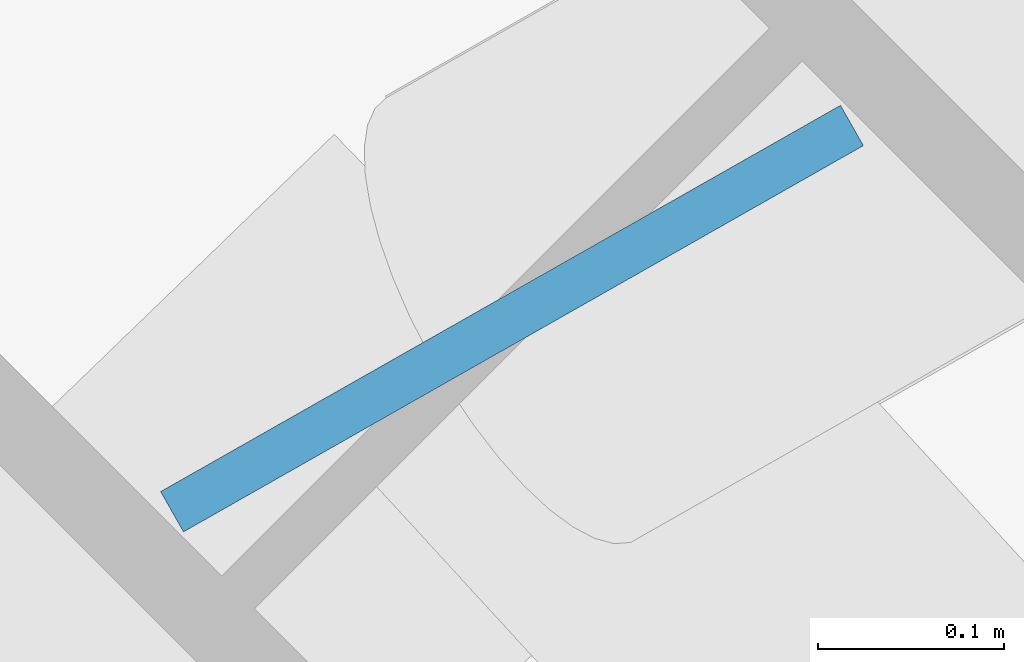
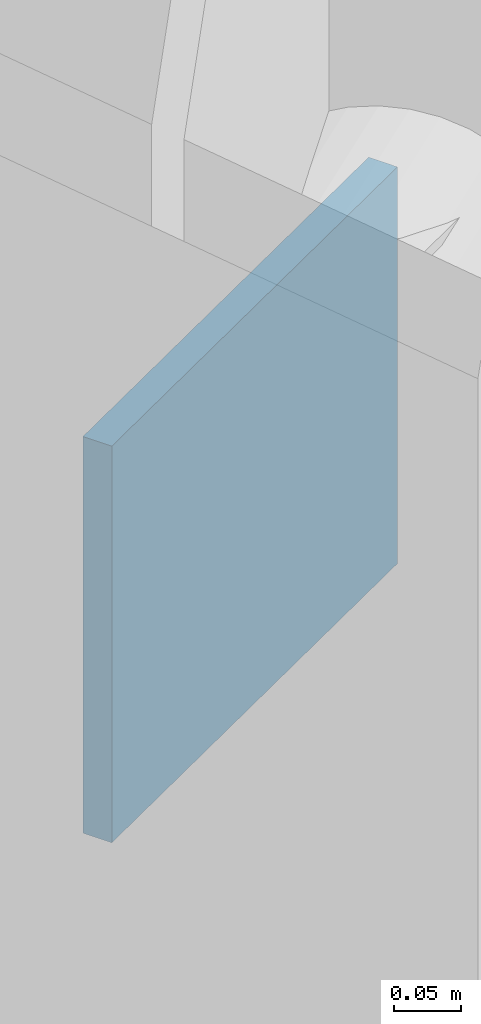
# One storey, part 44 of 93: 1 plate.
"""IFC4 building model written with IfcOpenShell, lengths in metres."""

from ifc_helpers import new_model, si_unit, direction, frame, origin, origin_2d, place, context, subcontext, project, spatial, rectangle, extrude, material, layer, layer_set, type_object, element, save


model = new_model("IFC4")

# Units and contexts
model_context = context("Model", 3, precision=1e-05, world=origin(), true_north=direction((0.0, 1.0)))
body_context = subcontext(model_context, "Body", "Model", "MODEL_VIEW")
ifc_project = project(units=[si_unit("LENGTHUNIT", "METRE"), si_unit("AREAUNIT", "SQUARE_METRE"), si_unit("VOLUMEUNIT", "CUBIC_METRE"), si_unit("PLANEANGLEUNIT", "RADIAN"), si_unit("MASSUNIT", "GRAM", prefix="KILO")], contexts=[model_context])

# Site, building, storey
site_placement = place(None, origin())
site = spatial("IfcSite", under=ifc_project, at=site_placement, CompositionType="ELEMENT")
building_placement = place(site_placement, origin())
building = spatial("IfcBuilding", under=site, at=building_placement, Name="Kalgoora Escarpment Arena", CompositionType="ELEMENT")
storey_placement = place(building_placement, origin())
storey = spatial("IfcBuildingStorey", under=building, at=storey_placement, Name="L00", CompositionType="ELEMENT", Elevation=0.0)

# Plate
ifc_material = material(Name="Structural steel Grade 350 (350 MPa)", Category="steel")
ifc_layer = layer(ifc_material, 0.02490234375)
ifc_layer_set = layer_set([ifc_layer], Name="PLT-GUSSET-25")
plate_type = type_object("IfcPlateType", Name="PLT-GUSSET-25", PredefinedType="USERDEFINED", material=ifc_layer_set)
plate_placement = place(storey_placement, frame((54.21630859375, 92.2841796875, 2.33984375), z_axis=(0.0, 0.0, 1.0), x_axis=(0.869494929505, 0.493941866584, 0.0)))
element("IfcPlate", 1, at=plate_placement, inside=storey, type_object=plate_type, Name="Brace and post end gusset plate 004", ObjectType="FLANGE PLATE", PredefinedType="USERDEFINED", context=body_context, shape_type="SweptSolid", body=[
    extrude(rectangle(XDim=0.419921875, YDim=0.02490234375, at=origin_2d()), origin(), (0.0, 0.0, 1.0), 0.360107421875),
])

save(model, "model.ifc")
